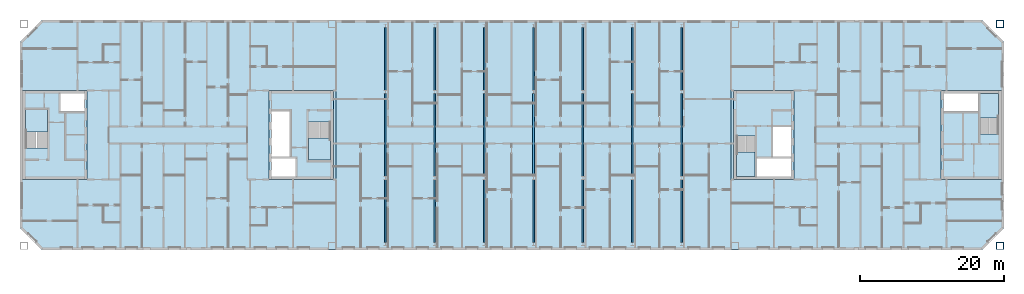
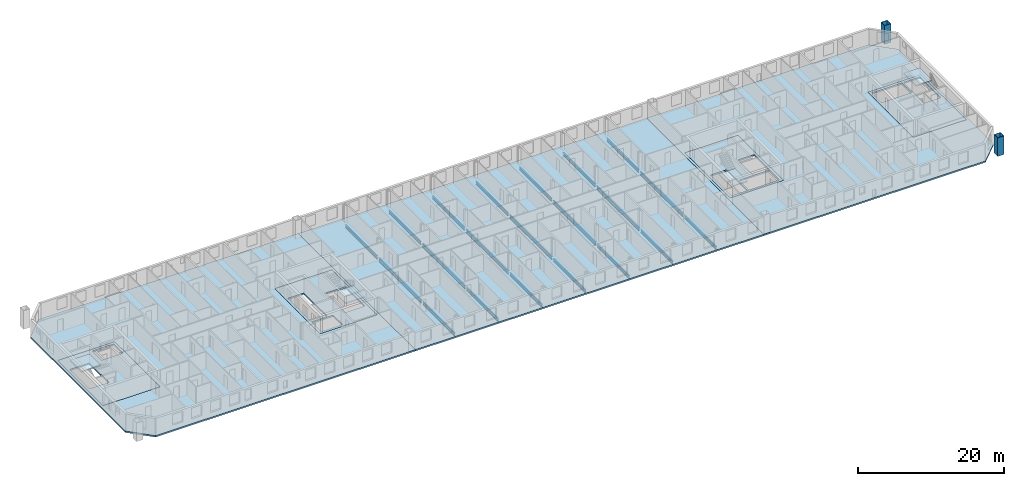
# One storey, part 3 of 19: 21 beams, 11 slabs, 2 columns, 4 elements without a shape of their own.
"""IFC4 building model written with IfcOpenShell, lengths in metres."""

from ifc_helpers import new_model, si_unit, direction, frame, origin, origin_2d, place, context, subcontext, project, spatial, polyline, hollow_rectangle, i_section, outline, extrude, material, layer, layer_set, material_profile, profile_set, type_object, element, aggregate, save


model = new_model("IFC4")

# Units and contexts
model_context = context("Model", 3, precision=1e-05, world=origin(), true_north=direction((0.0, 1.0)))
body_context = subcontext(model_context, "Body", "Model", "MODEL_VIEW")
ifc_project = project(units=[si_unit("LENGTHUNIT", "METRE"), si_unit("AREAUNIT", "SQUARE_METRE"), si_unit("VOLUMEUNIT", "CUBIC_METRE"), si_unit("PLANEANGLEUNIT", "RADIAN"), si_unit("MASSUNIT", "GRAM", prefix="KILO")], contexts=[model_context])

# Site, building, storey
site_placement = place(None, origin())
site = spatial("IfcSite", under=ifc_project, at=site_placement, CompositionType="ELEMENT")
building_placement = place(site_placement, origin())
building = spatial("IfcBuilding", under=site, at=building_placement, Name="Tuart Gate Housing", CompositionType="ELEMENT")
storey_placement = place(building_placement, frame((0.0, 0.0, 230.699951171875)))
storey = spatial("IfcBuildingStorey", under=building, at=storey_placement, Name="L65", CompositionType="ELEMENT", Elevation=230.699951171875)

# Columns
ifc_material_1 = material(Name="Steel Grade 350", Category="steel")
ifc_material_profile_1 = material_profile(ifc_material_1, hollow_rectangle(XDim=1.0, YDim=1.0, WallThickness=0.054931640625, at=origin_2d()), Name="BOX 1000x1000x55")
ifc_profile_set_1 = profile_set([ifc_material_profile_1], Name="Steel Grade 350")
column_type = type_object("IfcColumnType", Name="Mega column BOX 1000x1000x55", PredefinedType="COLUMN", material=ifc_profile_set_1)
for number, where, z_axis, x_axis, name in (
    (1, (168.449951171875, 54.550048828125, 0.0), (0.0, 0.0, 1.0), (1.0, 0.0, 0.0), "Mega column B south-east L65"),
    (2, (168.449951171875, 85.449951171875, 0.0), (0.0, 0.0, 1.0), (1.0, 0.0, 0.0), "Mega column B north-east L65"),
):
    element("IfcColumn", number, at=place(storey_placement, frame(where, z_axis=z_axis, x_axis=x_axis)), inside=storey, type_object=column_type, Name=name, PredefinedType="COLUMN", context=body_context, shape_type="SweptSolid", body=[
        extrude(hollow_rectangle(XDim=1.0, YDim=1.0, WallThickness=0.054931640625, at=origin_2d()), origin(), (0.0, 0.0, 1.0), 3.10009765625),
    ])

# Beams
ifc_material_2 = material(Name="Steel Grade 350", Category="steel")
ifc_material_profile_2 = material_profile(ifc_material_2, i_section(OverallWidth=0.208984375, OverallDepth=0.532958984375, WebThickness=0.01025390625, FlangeThickness=0.015625, at=origin_2d()), Name="530UB92.4")
ifc_profile_set_2 = profile_set([ifc_material_profile_2], Name="Steel Grade 350")
beam_type_1 = type_object("IfcBeamType", Name="Floor beam 530 UB92.4", PredefinedType="BEAM", material=ifc_profile_set_2)
for number, where, z_axis, x_axis, name in (
    (3, (82.875, 55.014892578125, -0.515869140625), (0.0, 1.0, 0.0), (-1.0, 0.0, 0.0), "Block floor beam L65 bay 1 position 1"),
    (4, (82.875, 76.215087890625, -0.515869140625), (0.0, 1.0, 0.0), (-1.0, 0.0, 0.0), "Block floor beam L65 bay 1 position 3"),
    (5, (89.75, 55.014892578125, -0.515869140625), (0.0, 1.0, 0.0), (-1.0, 0.0, 0.0), "Block floor beam L65 bay 2 position 1"),
    (6, (89.75, 76.215087890625, -0.515869140625), (0.0, 1.0, 0.0), (-1.0, 0.0, 0.0), "Block floor beam L65 bay 2 position 3"),
    (7, (96.625, 55.014892578125, -0.515869140625), (0.0, 1.0, 0.0), (-1.0, 0.0, 0.0), "Block floor beam L65 bay 3 position 1"),
    (8, (96.625, 76.215087890625, -0.515869140625), (0.0, 1.0, 0.0), (-1.0, 0.0, 0.0), "Block floor beam L65 bay 3 position 3"),
    (9, (103.5, 55.014892578125, -0.515869140625), (0.0, 1.0, 0.0), (-1.0, 0.0, 0.0), "Block floor beam L65 bay 4 position 1"),
    (10, (103.5, 76.215087890625, -0.515869140625), (0.0, 1.0, 0.0), (-1.0, 0.0, 0.0), "Block floor beam L65 bay 4 position 3"),
    (11, (110.375, 55.014892578125, -0.515869140625), (0.0, 1.0, 0.0), (-1.0, 0.0, 0.0), "Block floor beam L65 bay 5 position 1"),
    (12, (110.375, 76.215087890625, -0.515869140625), (0.0, 1.0, 0.0), (-1.0, 0.0, 0.0), "Block floor beam L65 bay 5 position 3"),
    (13, (117.25, 55.014892578125, -0.515869140625), (0.0, 1.0, 0.0), (-1.0, 0.0, 0.0), "Block floor beam L65 bay 6 position 1"),
    (14, (117.25, 76.215087890625, -0.515869140625), (0.0, 1.0, 0.0), (-1.0, 0.0, 0.0), "Block floor beam L65 bay 6 position 3"),
    (15, (124.125, 55.014892578125, -0.515869140625), (0.0, 1.0, 0.0), (-1.0, 0.0, 0.0), "Block floor beam L65 bay 7 position 1"),
    (16, (124.125, 76.215087890625, -0.515869140625), (0.0, 1.0, 0.0), (-1.0, 0.0, 0.0), "Block floor beam L65 bay 7 position 3"),
):
    element("IfcBeam", number, at=place(storey_placement, frame(where, z_axis=z_axis, x_axis=x_axis)), inside=storey, type_object=beam_type_1, Name=name, PredefinedType="BEAM", context=body_context, shape_type="SweptSolid", body=[
        extrude(i_section(OverallWidth=0.208984375, OverallDepth=0.532958984375, WebThickness=0.01025390625, FlangeThickness=0.015625, at=origin_2d()), origin(), (0.0, 0.0, 1.0), 8.77001953125),
    ])
ifc_material_3 = material(Name="Steel Grade 350", Category="steel")
ifc_material_profile_3 = material_profile(ifc_material_3, i_section(OverallWidth=0.22900390625, OverallDepth=0.612060546875, WebThickness=0.011962890625, FlangeThickness=0.01953125, at=origin_2d()), Name="610UB125")
ifc_profile_set_3 = profile_set([ifc_material_profile_3], Name="Steel Grade 350")
beam_type_2 = type_object("IfcBeamType", Name="Floor beam 610 UB125", PredefinedType="BEAM", material=ifc_profile_set_3)
for number, where, z_axis, x_axis, name in (
    (17, (82.875, 64.215087890625, -0.555908203125), (0.0, 1.0, 0.0), (-1.0, 0.0, 0.0), "Block floor beam L65 bay 1 position 2"),
    (18, (89.75, 64.215087890625, -0.555908203125), (0.0, 1.0, 0.0), (-1.0, 0.0, 0.0), "Block floor beam L65 bay 2 position 2"),
    (19, (96.625, 64.215087890625, -0.555908203125), (0.0, 1.0, 0.0), (-1.0, 0.0, 0.0), "Block floor beam L65 bay 3 position 2"),
    (20, (103.5, 64.215087890625, -0.555908203125), (0.0, 1.0, 0.0), (-1.0, 0.0, 0.0), "Block floor beam L65 bay 4 position 2"),
    (21, (110.375, 64.215087890625, -0.555908203125), (0.0, 1.0, 0.0), (-1.0, 0.0, 0.0), "Block floor beam L65 bay 5 position 2"),
    (22, (117.25, 64.215087890625, -0.555908203125), (0.0, 1.0, 0.0), (-1.0, 0.0, 0.0), "Block floor beam L65 bay 6 position 2"),
    (23, (124.125, 64.215087890625, -0.555908203125), (0.0, 1.0, 0.0), (-1.0, 0.0, 0.0), "Block floor beam L65 bay 7 position 2"),
):
    element("IfcBeam", number, at=place(storey_placement, frame(where, z_axis=z_axis, x_axis=x_axis)), inside=storey, type_object=beam_type_2, Name=name, PredefinedType="BEAM", context=body_context, shape_type="SweptSolid", body=[
        extrude(i_section(OverallWidth=0.22900390625, OverallDepth=0.612060546875, WebThickness=0.011962890625, FlangeThickness=0.01953125, at=origin_2d()), origin(), (0.0, 0.0, 1.0), 11.56982421875),
    ])

# Slabs
ifc_material_4 = material(Name="Concrete C40", Category="concrete")
ifc_layer_1 = layer(ifc_material_4, 0.25)
ifc_layer_set_1 = layer_set([ifc_layer_1], Name="Core floor slab 250")
slab_type_1 = type_object("IfcSlabType", Name="Core floor slab 250", PredefinedType="FLOOR", material=ifc_layer_set_1)
slab_1_placement = place(storey_placement, frame((0.0, 0.0, -0.25)))
element("IfcSlab", 24, at=slab_1_placement, inside=storey, type_object=slab_type_1, Name="Core floor AG", PredefinedType="FLOOR", context=body_context, shape_type="SweptSolid", body=[
    extrude(outline(polyline([(66.639892578125, 63.800048828125), (75.639892578125, 63.800048828125), (75.639892578125, 76.199951171875), (66.639892578125, 76.199951171875), (66.639892578125, 63.800048828125)]), holes=[polyline([(67.0400390625, 64.199951171875), (70.385009765625, 64.199951171875), (70.385009765625, 66.72509765625), (67.0400390625, 66.72509765625), (67.0400390625, 64.199951171875)]), polyline([(67.0400390625, 66.97509765625), (69.56494140625, 66.97509765625), (69.56494140625, 73.324951171875), (67.0400390625, 73.324951171875), (67.0400390625, 66.97509765625)]), polyline([(72.1650390625, 66.47509765625), (75.239990234375, 66.47509765625), (75.239990234375, 71.804931640625), (72.1650390625, 71.804931640625), (72.1650390625, 66.47509765625)])]), origin(), (0.0, 0.0, 1.0), 0.25),
])
slab_2_placement = place(storey_placement, frame((0.0, 0.0, -0.25)))
element("IfcSlab", 25, at=slab_2_placement, inside=storey, type_object=slab_type_1, Name="Core floor AK", PredefinedType="FLOOR", context=body_context, shape_type="SweptSolid", body=[
    extrude(outline(polyline([(32.360107421875, 63.800048828125), (41.360107421875, 63.800048828125), (41.360107421875, 76.199951171875), (32.360107421875, 76.199951171875), (32.360107421875, 63.800048828125)]), holes=[polyline([(40.9599609375, 75.800048828125), (37.614990234375, 75.800048828125), (37.614990234375, 73.27490234375), (40.9599609375, 73.27490234375), (40.9599609375, 75.800048828125)]), polyline([(35.8349609375, 73.52490234375), (32.760009765625, 73.52490234375), (32.760009765625, 68.195068359375), (35.8349609375, 68.195068359375), (35.8349609375, 73.52490234375)])]), origin(), (0.0, 0.0, 1.0), 0.25),
])
slab_3_placement = place(storey_placement, frame((0.0, 0.0, -0.25)))
element("IfcSlab", 26, at=slab_3_placement, inside=storey, type_object=slab_type_1, Name="Core floor BG", PredefinedType="FLOOR", context=body_context, shape_type="SweptSolid", body=[
    extrude(outline(polyline([(131.360107421875, 63.800048828125), (139.760009765625, 63.800048828125), (139.760009765625, 76.199951171875), (131.360107421875, 76.199951171875), (131.360107421875, 63.800048828125)]), holes=[polyline([(139.360107421875, 66.85009765625), (134.5849609375, 66.85009765625), (134.5849609375, 64.199951171875), (139.360107421875, 64.199951171875), (139.360107421875, 66.85009765625)]), polyline([(139.360107421875, 71.125), (136.8349609375, 71.125), (136.8349609375, 66.97509765625), (139.360107421875, 66.97509765625), (139.360107421875, 71.125)]), polyline([(134.3349609375, 69.85498046875), (131.760009765625, 69.85498046875), (131.760009765625, 64.199951171875), (134.3349609375, 64.199951171875), (134.3349609375, 69.85498046875)])]), origin(), (0.0, 0.0, 1.0), 0.25),
])
slab_4_placement = place(storey_placement, frame((0.0, 0.0, -0.25)))
element("IfcSlab", 27, at=slab_4_placement, inside=storey, type_object=slab_type_1, Name="Core floor BK", PredefinedType="FLOOR", context=body_context, shape_type="SweptSolid", body=[
    extrude(outline(polyline([(160.239990234375, 63.800048828125), (168.639892578125, 63.800048828125), (168.639892578125, 76.199951171875), (160.239990234375, 76.199951171875), (160.239990234375, 63.800048828125)]), holes=[polyline([(160.639892578125, 73.14990234375), (165.4150390625, 73.14990234375), (165.4150390625, 75.800048828125), (160.639892578125, 75.800048828125), (160.639892578125, 73.14990234375)]), polyline([(165.6650390625, 70.14501953125), (168.239990234375, 70.14501953125), (168.239990234375, 75.800048828125), (165.6650390625, 75.800048828125), (165.6650390625, 70.14501953125)])]), origin(), (0.0, 0.0, 1.0), 0.25),
])
ifc_material_5 = material(Name="Concrete C40", Category="concrete")
ifc_layer_2 = layer(ifc_material_5, 0.25)
ifc_layer_set_2 = layer_set([ifc_layer_2], Name="Flat plate 250")
slab_type_2 = type_object("IfcSlabType", Name="Flat plate 250", PredefinedType="FLOOR", material=ifc_layer_set_2)
slab_5_placement = place(storey_placement, frame((0.0, 0.0, -0.25)))
element("IfcSlab", 28, at=slab_5_placement, inside=storey, type_object=slab_type_2, Name="Floor slab A L65", PredefinedType="FLOOR", context=body_context, shape_type="SweptSolid", body=[
    extrude(outline(polyline([(35.0, 86.0), (32.0, 83.0), (32.0, 57.0), (35.0, 54.0), (76.0, 54.0), (76.0, 86.0), (35.0, 86.0)]), holes=[polyline([(66.639892578125, 76.199951171875), (75.639892578125, 76.199951171875), (75.639892578125, 63.800048828125), (66.639892578125, 63.800048828125), (66.639892578125, 76.199951171875)]), polyline([(41.360107421875, 76.199951171875), (41.360107421875, 63.800048828125), (32.360107421875, 63.800048828125), (32.360107421875, 76.199951171875), (41.360107421875, 76.199951171875)])]), origin(), (0.0, 0.0, 1.0), 0.25),
])
slab_6_placement = place(storey_placement, frame((0.0, 0.0, -0.25)))
element("IfcSlab", 29, at=slab_6_placement, inside=storey, type_object=slab_type_2, Name="Floor slab B L65", PredefinedType="FLOOR", context=body_context, shape_type="SweptSolid", body=[
    extrude(outline(polyline([(166.0, 86.0), (131.0, 86.0), (131.0, 54.0), (166.0, 54.0), (169.0, 57.0), (169.0, 83.0), (166.0, 86.0)]), holes=[polyline([(131.360107421875, 76.199951171875), (139.760009765625, 76.199951171875), (139.760009765625, 63.800048828125), (131.360107421875, 63.800048828125), (131.360107421875, 76.199951171875)]), polyline([(168.639892578125, 76.199951171875), (168.639892578125, 63.800048828125), (160.239990234375, 63.800048828125), (160.239990234375, 76.199951171875), (168.639892578125, 76.199951171875)])]), origin(), (0.0, 0.0, 1.0), 0.25),
])
slab_7_placement = place(storey_placement, frame((0.0, 0.0, -0.25)))
element("IfcSlab", 30, at=slab_7_placement, inside=storey, type_object=slab_type_2, Name="Link floor slab L65", PredefinedType="FLOOR", context=body_context, shape_type="SweptSolid", body=[
    extrude(outline(polyline([(76.0, 54.0), (131.0, 54.0), (131.0, 86.0), (76.0, 86.0), (76.0, 54.0)])), origin(), (0.0, 0.0, 1.0), 0.25),
])

# Stair, slab
ifc_material_6 = material(Name="Concrete C40", Category="concrete")
stair_type_1 = type_object("IfcStairType", Name="Core stair 1500", PredefinedType="HALF_TURN_STAIR", material=ifc_material_6)
stair_1_placement = place(storey_placement, origin())
stair_1 = element("IfcStair", 31, at=stair_1_placement, inside=storey, type_object=stair_type_1, Name="Stair SA1", PredefinedType="HALF_TURN_STAIR")
ifc_material_7 = material(Name="Concrete C40", Category="concrete")
ifc_layer_3 = layer(ifc_material_7, 0.199951171875)
ifc_layer_set_3 = layer_set([ifc_layer_3], Name="Stair landing 200")
slab_type_3 = type_object("IfcSlabType", Name="Stair landing 200", PredefinedType="LANDING", material=ifc_layer_set_3)
slab_8_placement = place(storey_placement, frame((0.0, 0.0, 1.35009765625)))
slab_8 = element("IfcSlab", 32, at=slab_8_placement, type_object=slab_type_3, Name="SA1 landing 1", PredefinedType="LANDING", context=body_context, shape_type="SweptSolid", body=[
    extrude(outline(polyline([(72.1650390625, 66.47509765625), (75.239990234375, 66.47509765625), (75.239990234375, 69.5849609375), (72.1650390625, 69.5849609375), (72.1650390625, 66.47509765625)])), origin(), (0.0, 0.0, 1.0), 0.199951171875),
])
aggregate(stair_1, [slab_8])

stair_2_placement = place(storey_placement, origin())
stair_2 = element("IfcStair", 33, at=stair_2_placement, inside=storey, type_object=stair_type_1, Name="Stair SA2", PredefinedType="HALF_TURN_STAIR")
slab_9_placement = place(storey_placement, frame((0.0, 0.0, 1.35009765625)))
slab_9 = element("IfcSlab", 34, at=slab_9_placement, type_object=slab_type_3, Name="SA2 landing 1", PredefinedType="LANDING", context=body_context, shape_type="SweptSolid", body=[
    extrude(outline(polyline([(35.8349609375, 73.52490234375), (32.760009765625, 73.52490234375), (32.760009765625, 70.4150390625), (35.8349609375, 70.4150390625), (35.8349609375, 73.52490234375)])), origin(), (0.0, 0.0, 1.0), 0.199951171875),
])
aggregate(stair_2, [slab_9])

ifc_material_8 = material(Name="Concrete C40", Category="concrete")
stair_type_2 = type_object("IfcStairType", Name="Core stair 1250", PredefinedType="HALF_TURN_STAIR", material=ifc_material_8)
stair_3_placement = place(storey_placement, origin())
stair_3 = element("IfcStair", 35, at=stair_3_placement, inside=storey, type_object=stair_type_2, Name="Stair SB1", PredefinedType="HALF_TURN_STAIR")
slab_10_placement = place(storey_placement, frame((0.0, 0.0, 1.35009765625)))
slab_10 = element("IfcSlab", 36, at=slab_10_placement, type_object=slab_type_3, Name="SB1 landing 1", PredefinedType="LANDING", context=body_context, shape_type="SweptSolid", body=[
    extrude(outline(polyline([(134.3349609375, 67.635009765625), (131.760009765625, 67.635009765625), (131.760009765625, 64.199951171875), (134.3349609375, 64.199951171875), (134.3349609375, 67.635009765625)])), origin(), (0.0, 0.0, 1.0), 0.199951171875),
])
aggregate(stair_3, [slab_10])

stair_4_placement = place(storey_placement, origin())
stair_4 = element("IfcStair", 37, at=stair_4_placement, inside=storey, type_object=stair_type_2, Name="Stair SB2", PredefinedType="HALF_TURN_STAIR")
slab_11_placement = place(storey_placement, frame((0.0, 0.0, 1.35009765625)))
slab_11 = element("IfcSlab", 38, at=slab_11_placement, type_object=slab_type_3, Name="SB2 landing 1", PredefinedType="LANDING", context=body_context, shape_type="SweptSolid", body=[
    extrude(outline(polyline([(165.6650390625, 72.364990234375), (168.239990234375, 72.364990234375), (168.239990234375, 75.800048828125), (165.6650390625, 75.800048828125), (165.6650390625, 72.364990234375)])), origin(), (0.0, 0.0, 1.0), 0.199951171875),
])
aggregate(stair_4, [slab_11])

save(model, "model.ifc")
